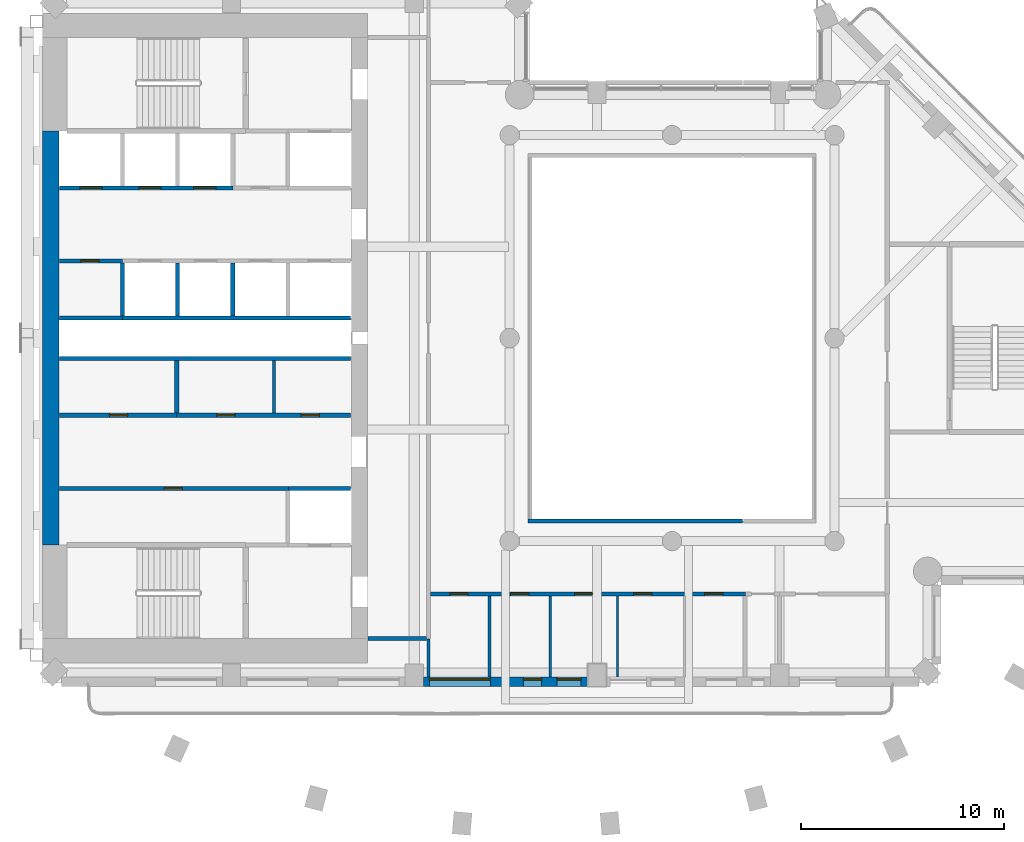
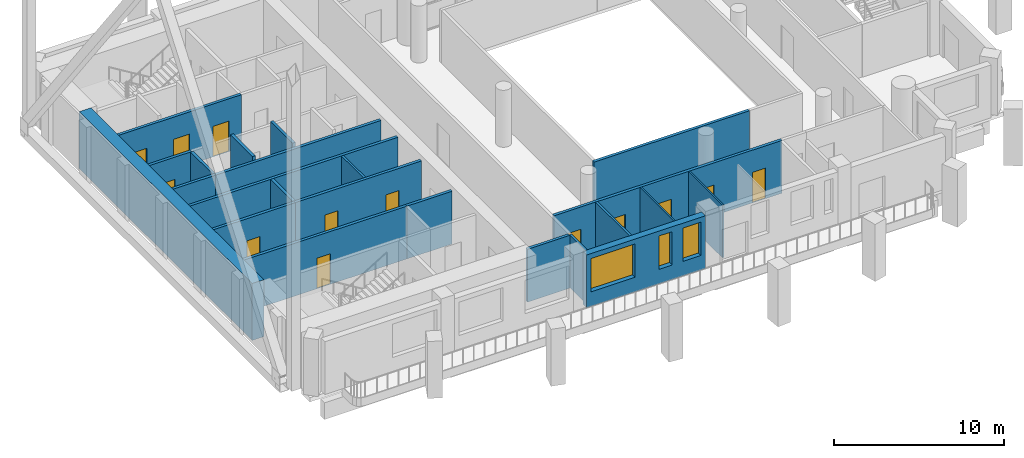
# One storey, part 4 of 16: 23 walls, 13 doors, 3 windows, 16 openings.
"""IFC4 building model written with IfcOpenShell, lengths in metres."""

from ifc_helpers import new_model, si_unit, direction, frame, frame_2d, origin, place, context, subcontext, project, spatial, rectangle, extrude, material, layer, layer_set, type_object, element, fill, save


model = new_model("IFC4")

# Units and contexts
model_context = context("Model", 3, precision=1e-05, world=origin(), true_north=direction((0.0, 1.0)))
body_context = subcontext(model_context, "Body", "Model", "MODEL_VIEW")
ifc_project = project(units=[si_unit("LENGTHUNIT", "METRE"), si_unit("AREAUNIT", "SQUARE_METRE"), si_unit("VOLUMEUNIT", "CUBIC_METRE"), si_unit("PLANEANGLEUNIT", "RADIAN"), si_unit("MASSUNIT", "GRAM", prefix="KILO")], contexts=[model_context])

# Site, building, storey
site_placement = place(None, origin())
site = spatial("IfcSite", under=ifc_project, at=site_placement, CompositionType="ELEMENT")
building_placement = place(site_placement, origin())
building = spatial("IfcBuilding", under=site, at=building_placement, Name="Cypress Arch Tower", CompositionType="ELEMENT")
storey_placement = place(building_placement, frame((0.0, 0.0, 197.39990234375)))
storey = spatial("IfcBuildingStorey", under=building, at=storey_placement, Name="L43", CompositionType="ELEMENT", Elevation=197.39990234375)

# Wall, openings, windows
ifc_material_1 = material(Name="Brick (red buff blend)", Category="masonry")
ifc_layer_1 = layer(ifc_material_1, 0.449951171875)
ifc_layer_set_1 = layer_set([ifc_layer_1], Name="Brick pier and spandrel wall BW450")
wall_type_1 = type_object("IfcWallType", Name="Brick pier and spandrel wall BW450", PredefinedType="SOLIDWALL", material=ifc_layer_set_1)
wall_1_placement = place(storey_placement, frame((-11.25, -16.925048828125, 0.0), z_axis=(0.0, 0.0, 1.0), x_axis=(1.0, 0.0, 0.0)))
wall_1 = element("IfcWall", 1, at=wall_1_placement, inside=storey, type_object=wall_type_1, Name="Brick wall L43 B01.2", PredefinedType="SOLIDWALL", context=body_context, shape_type="SweptSolid", body=[
    extrude(rectangle(XDim=8.10009765625, YDim=0.449951171875, at=frame_2d((4.050048828125, 0.0))), origin(), (0.0, 0.0, 1.0), 3.800048828125),
])
opening_1_placement = place(wall_1_placement, frame((0.300048828125, 0.0, 1.050048828125)))
opening_1 = element("IfcOpeningElement", 2, at=opening_1_placement, cuts=wall_1, Name="Opening W300OD", PredefinedType="OPENING", context=body_context, shape_type="SweptSolid", body=[
    extrude(rectangle(XDim=3.0, YDim=2.39990234375, at=frame_2d((1.5, 1.199951171875))), frame((0.0, 0.23486328125, 0.0), z_axis=(0.0, -1.0, 0.0), x_axis=(1.0, 0.0, 0.0)), (0.0, 0.0, 1.0), 0.469970703125),
])
opening_2_placement = place(wall_1_placement, frame((4.925048828125, 0.0, 1.050048828125)))
opening_2 = element("IfcOpeningElement", 3, at=opening_2_placement, cuts=wall_1, Name="Opening W090OD", PredefinedType="OPENING", context=body_context, shape_type="SweptSolid", body=[
    extrude(rectangle(XDim=0.89990234375, YDim=2.39990234375, at=frame_2d((0.449951171875, 1.199951171875))), frame((0.0, 0.23486328125, 0.0), z_axis=(0.0, -1.0, 0.0), x_axis=(1.0, 0.0, 0.0)), (0.0, 0.0, 1.0), 0.469970703125),
])
opening_3_placement = place(wall_1_placement, frame((6.574951171875, 0.0, 1.050048828125)))
opening_3 = element("IfcOpeningElement", 4, at=opening_3_placement, cuts=wall_1, Name="Opening W120OD", PredefinedType="OPENING", context=body_context, shape_type="SweptSolid", body=[
    extrude(rectangle(XDim=1.199951171875, YDim=2.39990234375, at=frame_2d((0.60009765625, 1.199951171875))), frame((0.0, 0.23486328125, 0.0), z_axis=(0.0, -1.0, 0.0), x_axis=(1.0, 0.0, 0.0)), (0.0, 0.0, 1.0), 0.469970703125),
])
ifc_material_2 = material(Name="Anodised aluminium, bronze finish, laminated low-emissivity double glazing, large-missile impact rated", Category="aluminium")
window_type_1 = type_object("IfcWindowType", Name="Window Office 1200x2400 debris-rated", PartitioningType="SINGLE_PANEL", PredefinedType="WINDOW", material=ifc_material_2)
window_1_placement = place(opening_3_placement, origin())
window_1 = element("IfcWindow", 5, at=window_1_placement, inside=storey, type_object=window_type_1, Name="Window L43 B01.2.2b", OverallHeight=2.39990234375, OverallWidth=1.199951171875, PartitioningType="SINGLE_PANEL", PredefinedType="WINDOW", context=body_context, shape_type="SweptSolid", body=[
    extrude(rectangle(XDim=1.199951171875, YDim=2.39990234375, at=frame_2d((0.60009765625, 1.199951171875))), frame((0.0, 0.135009765625, 0.0), z_axis=(0.0, -1.0, 0.0), x_axis=(1.0, 0.0, 0.0)), (0.0, 0.0, 1.0), 0.06005859375),
])
fill(opening_3, window_1)
ifc_material_3 = material(Name="Anodised aluminium, bronze finish, laminated low-emissivity double glazing, large-missile impact rated", Category="aluminium")
window_type_2 = type_object("IfcWindowType", Name="Window Office 3000x2400 debris-rated", PartitioningType="SINGLE_PANEL", PredefinedType="WINDOW", material=ifc_material_3)
window_2_placement = place(opening_1_placement, origin())
window_2 = element("IfcWindow", 6, at=window_2_placement, inside=storey, type_object=window_type_2, Name="Window L43 B01.2.1", OverallHeight=2.39990234375, OverallWidth=3.0, PartitioningType="SINGLE_PANEL", PredefinedType="WINDOW", context=body_context, shape_type="SweptSolid", body=[
    extrude(rectangle(XDim=3.0, YDim=2.39990234375, at=frame_2d((1.5, 1.199951171875))), frame((0.0, 0.135009765625, 0.0), z_axis=(0.0, -1.0, 0.0), x_axis=(1.0, 0.0, 0.0)), (0.0, 0.0, 1.0), 0.06005859375),
])
fill(opening_1, window_2)
ifc_material_4 = material(Name="Anodised aluminium, bronze finish, laminated low-emissivity double glazing, large-missile impact rated", Category="aluminium")
window_type_3 = type_object("IfcWindowType", Name="Window Office 900x2400 debris-rated", PartitioningType="SINGLE_PANEL", PredefinedType="WINDOW", material=ifc_material_4)
window_3_placement = place(opening_2_placement, origin())
window_3 = element("IfcWindow", 7, at=window_3_placement, inside=storey, type_object=window_type_3, Name="Window L43 B01.2.2", OverallHeight=2.39990234375, OverallWidth=0.89990234375, PartitioningType="SINGLE_PANEL", PredefinedType="WINDOW", context=body_context, shape_type="SweptSolid", body=[
    extrude(rectangle(XDim=0.89990234375, YDim=2.39990234375, at=frame_2d((0.449951171875, 1.199951171875))), frame((0.0, 0.135009765625, 0.0), z_axis=(0.0, -1.0, 0.0), x_axis=(1.0, 0.0, 0.0)), (0.0, 0.0, 1.0), 0.06005859375),
])
fill(opening_2, window_3)

# Wall
ifc_material_5 = material(Name="Concrete C70/85", Category="concrete")
ifc_layer_2 = layer(ifc_material_5, 0.800048828125)
ifc_layer_set_2 = layer_set([ifc_layer_2], Name="Core wall CW800 C70/85")
wall_type_2 = type_object("IfcWallType", Name="Core wall CW800 C70/85", PredefinedType="SHEAR", material=ifc_layer_set_2)
wall_2_placement = place(storey_placement, frame((-29.60009765625, -10.199951171875, 0.0), z_axis=(0.0, 0.0, 1.0), x_axis=(0.0, 1.0, 0.0)))
element("IfcWall", 8, at=wall_2_placement, inside=storey, type_object=wall_type_2, Name="Core wall", PredefinedType="SHEAR", context=body_context, shape_type="SweptSolid", body=[
    extrude(rectangle(XDim=20.39990234375, YDim=0.800048828125, at=frame_2d((10.199951171875, 0.0))), origin(), (0.0, 0.0, 1.0), 4.10009765625),
])

# Wall, opening, door
ifc_material_6 = material(Name="Concrete blockwork, plastered, rated", Category="masonry")
ifc_layer_3 = layer(ifc_material_6, 0.199951171875)
ifc_layer_set_3 = layer_set([ifc_layer_3], Name="Corridor wall FW200")
wall_type_3 = type_object("IfcWallType", Name="Corridor wall FW200", PredefinedType="PARTITIONING", material=ifc_layer_set_3)
wall_3_placement = place(storey_placement, frame((-29.169921875, 3.800048828125, 0.0), z_axis=(0.0, 0.0, 1.0), x_axis=(1.0, 0.0, 0.0)))
wall_3 = element("IfcWall", 9, at=wall_3_placement, inside=storey, type_object=wall_type_3, Name="Corridor wall", PredefinedType="PARTITIONING", context=body_context, shape_type="SweptSolid", body=[
    extrude(rectangle(XDim=3.08984375, YDim=0.199951171875, at=frame_2d((1.544921875, 0.0))), origin(), (0.0, 0.0, 1.0), 3.800048828125),
])
opening_4_placement = place(wall_3_placement, frame((1.050048828125, 0.0, 0.0)))
opening_4 = element("IfcOpeningElement", 10, at=opening_4_placement, cuts=wall_3, Name="Opening D05", PredefinedType="OPENING", context=body_context, shape_type="SweptSolid", body=[
    extrude(rectangle(XDim=0.89990234375, YDim=2.199951171875, at=frame_2d((0.449951171875, 1.10009765625))), frame((0.0, 0.10986328125, 0.0), z_axis=(0.0, -1.0, 0.0), x_axis=(1.0, 0.0, 0.0)), (0.0, 0.0, 1.0), 0.219970703125),
])
ifc_material_7 = material(Name="Timber flush door", Category="wood")
door_type_1 = type_object("IfcDoorType", Name="Service door D05 900x2200", OperationType="SINGLE_SWING_LEFT", PredefinedType="DOOR", material=ifc_material_7)
door_1_placement = place(opening_4_placement, origin())
door_1 = element("IfcDoor", 11, at=door_1_placement, inside=storey, type_object=door_type_1, Name="Service door", OperationType="SINGLE_SWING_LEFT", OverallHeight=2.199951171875, OverallWidth=0.89990234375, PredefinedType="DOOR", context=body_context, shape_type="SweptSolid", body=[
    extrude(rectangle(XDim=0.89990234375, YDim=2.199951171875, at=frame_2d((0.449951171875, 1.10009765625))), frame((0.0, 0.02490234375, 0.0), z_axis=(0.0, -1.0, 0.0), x_axis=(1.0, 0.0, 0.0)), (0.0, 0.0, 1.0), 0.050048828125),
])
fill(opening_4, door_1)

# Wall, openings, doors
wall_4_placement = place(storey_placement, frame((-23.419921875, -3.800048828125, 0.0), z_axis=(0.0, 0.0, 1.0), x_axis=(1.0, 0.0, 0.0)))
wall_4 = element("IfcWall", 12, at=wall_4_placement, inside=storey, type_object=wall_type_3, Name="Corridor wall", PredefinedType="PARTITIONING", context=body_context, shape_type="SweptSolid", body=[
    extrude(rectangle(XDim=8.58984375, YDim=0.199951171875, at=frame_2d((4.294921875, 0.0))), origin(), (0.0, 0.0, 1.0), 3.800048828125),
])
opening_5_placement = place(wall_4_placement, frame((2.0, 0.0, 0.0)))
opening_5 = element("IfcOpeningElement", 13, at=opening_5_placement, cuts=wall_4, Name="Opening D05", PredefinedType="OPENING", context=body_context, shape_type="SweptSolid", body=[
    extrude(rectangle(XDim=0.89990234375, YDim=2.199951171875, at=frame_2d((0.449951171875, 1.10009765625))), frame((0.0, 0.10986328125, 0.0), z_axis=(0.0, -1.0, 0.0), x_axis=(1.0, 0.0, 0.0)), (0.0, 0.0, 1.0), 0.219970703125),
])
opening_6_placement = place(wall_4_placement, frame((6.14990234375, 0.0, 0.0)))
opening_6 = element("IfcOpeningElement", 14, at=opening_6_placement, cuts=wall_4, Name="Opening D05", PredefinedType="OPENING", context=body_context, shape_type="SweptSolid", body=[
    extrude(rectangle(XDim=0.89990234375, YDim=2.199951171875, at=frame_2d((0.449951171875, 1.10009765625))), frame((0.0, 0.10986328125, 0.0), z_axis=(0.0, -1.0, 0.0), x_axis=(1.0, 0.0, 0.0)), (0.0, 0.0, 1.0), 0.219970703125),
])
door_2_placement = place(opening_5_placement, origin())
door_2 = element("IfcDoor", 15, at=door_2_placement, inside=storey, type_object=door_type_1, Name="Service door", OperationType="SINGLE_SWING_RIGHT", OverallHeight=2.199951171875, OverallWidth=0.89990234375, PredefinedType="DOOR", context=body_context, shape_type="SweptSolid", body=[
    extrude(rectangle(XDim=0.89990234375, YDim=2.199951171875, at=frame_2d((0.449951171875, 1.10009765625))), frame((0.0, 0.02490234375, 0.0), z_axis=(0.0, -1.0, 0.0), x_axis=(1.0, 0.0, 0.0)), (0.0, 0.0, 1.0), 0.050048828125),
])
fill(opening_5, door_2)
door_3_placement = place(opening_6_placement, origin())
door_3 = element("IfcDoor", 16, at=door_3_placement, inside=storey, type_object=door_type_1, Name="Service door", OperationType="SINGLE_SWING_LEFT", OverallHeight=2.199951171875, OverallWidth=0.89990234375, PredefinedType="DOOR", context=body_context, shape_type="SweptSolid", body=[
    extrude(rectangle(XDim=0.89990234375, YDim=2.199951171875, at=frame_2d((0.449951171875, 1.10009765625))), frame((0.0, 0.02490234375, 0.0), z_axis=(0.0, -1.0, 0.0), x_axis=(1.0, 0.0, 0.0)), (0.0, 0.0, 1.0), 0.050048828125),
])
fill(opening_6, door_3)

# Wall
wall_5_placement = place(storey_placement, frame((-13.969970703125, -14.800048828125, 0.0), z_axis=(0.0, 0.0, 1.0), x_axis=(1.0, 0.0, 0.0)))
element("IfcWall", 17, at=wall_5_placement, inside=storey, type_object=wall_type_3, Name="Corridor wall", PredefinedType="PARTITIONING", context=body_context, shape_type="SweptSolid", body=[
    extrude(rectangle(XDim=2.869873046875, YDim=0.199951171875, at=frame_2d((1.43505859375, 0.0))), origin(), (0.0, 0.0, 1.0), 3.800048828125),
])

# Wall, openings, doors
wall_6_placement = place(storey_placement, frame((-10.89990234375, -12.60009765625, 0.0), z_axis=(0.0, 0.0, 1.0), x_axis=(1.0, 0.0, 0.0)))
wall_6 = element("IfcWall", 18, at=wall_6_placement, inside=storey, type_object=wall_type_3, Name="Corridor wall", PredefinedType="PARTITIONING", context=body_context, shape_type="SweptSolid", body=[
    extrude(rectangle(XDim=15.52099609375, YDim=0.199951171875, at=frame_2d((7.760498046875, 0.0))), origin(), (0.0, 0.0, 1.0), 3.800048828125),
])
opening_7_placement = place(wall_6_placement, frame((0.949951171875, 0.0, 0.0)))
opening_7 = element("IfcOpeningElement", 19, at=opening_7_placement, cuts=wall_6, Name="Opening D05", PredefinedType="OPENING", context=body_context, shape_type="SweptSolid", body=[
    extrude(rectangle(XDim=0.89990234375, YDim=2.199951171875, at=frame_2d((0.449951171875, 1.10009765625))), frame((0.0, 0.10986328125, 0.0), z_axis=(0.0, -1.0, 0.0), x_axis=(1.0, 0.0, 0.0)), (0.0, 0.0, 1.0), 0.219970703125),
])
opening_8_placement = place(wall_6_placement, frame((3.949951171875, 0.0, 0.0)))
opening_8 = element("IfcOpeningElement", 20, at=opening_8_placement, cuts=wall_6, Name="Opening D05", PredefinedType="OPENING", context=body_context, shape_type="SweptSolid", body=[
    extrude(rectangle(XDim=0.89990234375, YDim=2.199951171875, at=frame_2d((0.449951171875, 1.10009765625))), frame((0.0, 0.10986328125, 0.0), z_axis=(0.0, -1.0, 0.0), x_axis=(1.0, 0.0, 0.0)), (0.0, 0.0, 1.0), 0.219970703125),
])
opening_9_placement = place(wall_6_placement, frame((7.10009765625, 0.0, 0.0)))
opening_9 = element("IfcOpeningElement", 21, at=opening_9_placement, cuts=wall_6, Name="Opening D03", PredefinedType="OPENING", context=body_context, shape_type="SweptSolid", body=[
    extrude(rectangle(XDim=0.89990234375, YDim=2.199951171875, at=frame_2d((0.449951171875, 1.10009765625))), frame((0.0, 0.10986328125, 0.0), z_axis=(0.0, -1.0, 0.0), x_axis=(1.0, 0.0, 0.0)), (0.0, 0.0, 1.0), 0.219970703125),
])
opening_10_placement = place(wall_6_placement, frame((10.0, 0.0, 0.0)))
opening_10 = element("IfcOpeningElement", 22, at=opening_10_placement, cuts=wall_6, Name="Opening D03", PredefinedType="OPENING", context=body_context, shape_type="SweptSolid", body=[
    extrude(rectangle(XDim=0.89990234375, YDim=2.199951171875, at=frame_2d((0.449951171875, 1.10009765625))), frame((0.0, 0.10986328125, 0.0), z_axis=(0.0, -1.0, 0.0), x_axis=(1.0, 0.0, 0.0)), (0.0, 0.0, 1.0), 0.219970703125),
])
opening_11_placement = place(wall_6_placement, frame((13.5, 0.0, 0.0)))
opening_11 = element("IfcOpeningElement", 23, at=opening_11_placement, cuts=wall_6, Name="Opening D03", PredefinedType="OPENING", context=body_context, shape_type="SweptSolid", body=[
    extrude(rectangle(XDim=0.89990234375, YDim=2.199951171875, at=frame_2d((0.449951171875, 1.10009765625))), frame((0.0, 0.10986328125, 0.0), z_axis=(0.0, -1.0, 0.0), x_axis=(1.0, 0.0, 0.0)), (0.0, 0.0, 1.0), 0.219970703125),
])
ifc_material_8 = material(Name="Timber flush door, moisture resistant", Category="wood")
door_type_2 = type_object("IfcDoorType", Name="Bathroom door D03 900x2200", OperationType="SINGLE_SWING_LEFT", PredefinedType="DOOR", material=ifc_material_8)
door_4_placement = place(opening_9_placement, origin())
door_4 = element("IfcDoor", 24, at=door_4_placement, inside=storey, type_object=door_type_2, Name="Bathroom door", OperationType="SINGLE_SWING_RIGHT", OverallHeight=2.199951171875, OverallWidth=0.89990234375, PredefinedType="DOOR", context=body_context, shape_type="SweptSolid", body=[
    extrude(rectangle(XDim=0.89990234375, YDim=2.199951171875, at=frame_2d((0.449951171875, 1.10009765625))), frame((0.0, 0.02490234375, 0.0), z_axis=(0.0, -1.0, 0.0), x_axis=(1.0, 0.0, 0.0)), (0.0, 0.0, 1.0), 0.050048828125),
])
fill(opening_9, door_4)
door_5_placement = place(opening_10_placement, origin())
door_5 = element("IfcDoor", 25, at=door_5_placement, inside=storey, type_object=door_type_2, Name="Bathroom door", OperationType="SINGLE_SWING_RIGHT", OverallHeight=2.199951171875, OverallWidth=0.89990234375, PredefinedType="DOOR", context=body_context, shape_type="SweptSolid", body=[
    extrude(rectangle(XDim=0.89990234375, YDim=2.199951171875, at=frame_2d((0.449951171875, 1.10009765625))), frame((0.0, 0.02490234375, 0.0), z_axis=(0.0, -1.0, 0.0), x_axis=(1.0, 0.0, 0.0)), (0.0, 0.0, 1.0), 0.050048828125),
])
fill(opening_10, door_5)
door_6_placement = place(opening_11_placement, origin())
door_6 = element("IfcDoor", 26, at=door_6_placement, inside=storey, type_object=door_type_2, Name="Bathroom door", OperationType="SINGLE_SWING_RIGHT", OverallHeight=2.199951171875, OverallWidth=0.89990234375, PredefinedType="DOOR", context=body_context, shape_type="SweptSolid", body=[
    extrude(rectangle(XDim=0.89990234375, YDim=2.199951171875, at=frame_2d((0.449951171875, 1.10009765625))), frame((0.0, 0.02490234375, 0.0), z_axis=(0.0, -1.0, 0.0), x_axis=(1.0, 0.0, 0.0)), (0.0, 0.0, 1.0), 0.050048828125),
])
fill(opening_11, door_6)
door_7_placement = place(opening_7_placement, origin())
door_7 = element("IfcDoor", 27, at=door_7_placement, inside=storey, type_object=door_type_1, Name="Service door", OperationType="SINGLE_SWING_RIGHT", OverallHeight=2.199951171875, OverallWidth=0.89990234375, PredefinedType="DOOR", context=body_context, shape_type="SweptSolid", body=[
    extrude(rectangle(XDim=0.89990234375, YDim=2.199951171875, at=frame_2d((0.449951171875, 1.10009765625))), frame((0.0, 0.02490234375, 0.0), z_axis=(0.0, -1.0, 0.0), x_axis=(1.0, 0.0, 0.0)), (0.0, 0.0, 1.0), 0.050048828125),
])
fill(opening_7, door_7)
door_8_placement = place(opening_8_placement, origin())
door_8 = element("IfcDoor", 28, at=door_8_placement, inside=storey, type_object=door_type_1, Name="Service door", OperationType="SINGLE_SWING_RIGHT", OverallHeight=2.199951171875, OverallWidth=0.89990234375, PredefinedType="DOOR", context=body_context, shape_type="SweptSolid", body=[
    extrude(rectangle(XDim=0.89990234375, YDim=2.199951171875, at=frame_2d((0.449951171875, 1.10009765625))), frame((0.0, 0.02490234375, 0.0), z_axis=(0.0, -1.0, 0.0), x_axis=(1.0, 0.0, 0.0)), (0.0, 0.0, 1.0), 0.050048828125),
])
fill(opening_8, door_8)

# Walls
wall_7_placement = place(storey_placement, frame((-6.10009765625, -9.0, 0.0), z_axis=(0.0, 0.0, 1.0), x_axis=(1.0, 0.0, 0.0)))
element("IfcWall", 29, at=wall_7_placement, inside=storey, type_object=wall_type_3, Name="Corridor wall", PredefinedType="PARTITIONING", context=body_context, shape_type="SweptSolid", body=[
    extrude(rectangle(XDim=10.580078125, YDim=0.199951171875, at=frame_2d((5.2900390625, 0.0))), origin(), (0.0, 0.0, 1.0), 3.800048828125),
])
ifc_material_9 = material(Name="Blockwork, plastered both sides", Category="masonry")
ifc_layer_4 = layer(ifc_material_9, 0.14990234375)
ifc_layer_set_4 = layer_set([ifc_layer_4], Name="Partition PW150")
wall_type_4 = type_object("IfcWallType", Name="Partition PW150", PredefinedType="PARTITIONING", material=ifc_layer_set_4)
wall_8_placement = place(storey_placement, frame((-18.60009765625, -3.699951171875, 0.0), z_axis=(0.0, 0.0, 1.0), x_axis=(0.0, 1.0, 0.0)))
element("IfcWall", 30, at=wall_8_placement, inside=storey, type_object=wall_type_4, Name="Partition", PredefinedType="PARTITIONING", context=body_context, shape_type="SweptSolid", body=[
    extrude(rectangle(XDim=2.599853515625, YDim=0.14990234375, at=frame_2d((1.2998046875, 0.0))), origin(), (0.0, 0.0, 1.0), 3.800048828125),
])
wall_9_placement = place(storey_placement, frame((-11.0, -16.699951171875, 0.0), z_axis=(0.0, 0.0, 1.0), x_axis=(0.0, 1.0, 0.0)))
element("IfcWall", 31, at=wall_9_placement, inside=storey, type_object=wall_type_4, Name="Partition", PredefinedType="PARTITIONING", context=body_context, shape_type="SweptSolid", body=[
    extrude(rectangle(XDim=1.8798828125, YDim=0.14990234375, at=frame_2d((0.93994140625, 0.0))), origin(), (0.0, 0.0, 1.0), 3.800048828125),
])
wall_10_placement = place(storey_placement, frame((-8.0, -16.699951171875, 0.0), z_axis=(0.0, 0.0, 1.0), x_axis=(0.0, 1.0, 0.0)))
element("IfcWall", 32, at=wall_10_placement, inside=storey, type_object=wall_type_4, Name="Partition", PredefinedType="PARTITIONING", context=body_context, shape_type="SweptSolid", body=[
    extrude(rectangle(XDim=4.0, YDim=0.14990234375, at=frame_2d((2.0, 0.0))), origin(), (0.0, 0.0, 1.0), 3.800048828125),
])

# Wall, opening, door
ifc_material_10 = material(Name="Reinforced blockwork, plastered, rated", Category="masonry")
ifc_layer_5 = layer(ifc_material_10, 0.199951171875)
ifc_layer_set_5 = layer_set([ifc_layer_5], Name="Plant and riser wall PL200")
wall_type_5 = type_object("IfcWallType", Name="Plant and riser wall PL200", PredefinedType="PARTITIONING", material=ifc_layer_set_5)
wall_11_placement = place(storey_placement, frame((-29.169921875, -7.39990234375, 0.0), z_axis=(0.0, 0.0, 1.0), x_axis=(1.0, 0.0, 0.0)))
wall_11 = element("IfcWall", 33, at=wall_11_placement, inside=storey, type_object=wall_type_5, Name="Plant and riser wall", PredefinedType="PARTITIONING", context=body_context, shape_type="SweptSolid", body=[
    extrude(rectangle(XDim=11.27001953125, YDim=0.199951171875, at=frame_2d((5.635009765625, 0.0))), origin(), (0.0, 0.0, 1.0), 3.800048828125),
])
opening_12_placement = place(wall_11_placement, frame((5.14990234375, 0.0, 0.0)))
opening_12 = element("IfcOpeningElement", 34, at=opening_12_placement, cuts=wall_11, Name="Opening D05", PredefinedType="OPENING", context=body_context, shape_type="SweptSolid", body=[
    extrude(rectangle(XDim=0.89990234375, YDim=2.199951171875, at=frame_2d((0.449951171875, 1.10009765625))), frame((0.0, 0.10986328125, 0.0), z_axis=(0.0, -1.0, 0.0), x_axis=(1.0, 0.0, 0.0)), (0.0, 0.0, 1.0), 0.219970703125),
])
door_9_placement = place(opening_12_placement, origin())
door_9 = element("IfcDoor", 35, at=door_9_placement, inside=storey, type_object=door_type_1, Name="Service door", OperationType="SINGLE_SWING_RIGHT", OverallHeight=2.199951171875, OverallWidth=0.89990234375, PredefinedType="DOOR", context=body_context, shape_type="SweptSolid", body=[
    extrude(rectangle(XDim=0.89990234375, YDim=2.199951171875, at=frame_2d((0.449951171875, 1.10009765625))), frame((0.0, 0.02490234375, 0.0), z_axis=(0.0, -1.0, 0.0), x_axis=(1.0, 0.0, 0.0)), (0.0, 0.0, 1.0), 0.050048828125),
])
fill(opening_12, door_9)

wall_12_placement = place(storey_placement, frame((-29.169921875, -3.800048828125, 0.0), z_axis=(0.0, 0.0, 1.0), x_axis=(1.0, 0.0, 0.0)))
wall_12 = element("IfcWall", 36, at=wall_12_placement, inside=storey, type_object=wall_type_5, Name="Plant and riser wall", PredefinedType="PARTITIONING", context=body_context, shape_type="SweptSolid", body=[
    extrude(rectangle(XDim=5.75, YDim=0.199951171875, at=frame_2d((2.875, 0.0))), origin(), (0.0, 0.0, 1.0), 3.800048828125),
])
opening_13_placement = place(wall_12_placement, frame((2.449951171875, 0.0, 0.0)))
opening_13 = element("IfcOpeningElement", 37, at=opening_13_placement, cuts=wall_12, Name="Opening D05", PredefinedType="OPENING", context=body_context, shape_type="SweptSolid", body=[
    extrude(rectangle(XDim=0.89990234375, YDim=2.199951171875, at=frame_2d((0.449951171875, 1.10009765625))), frame((0.0, 0.10986328125, 0.0), z_axis=(0.0, -1.0, 0.0), x_axis=(1.0, 0.0, 0.0)), (0.0, 0.0, 1.0), 0.219970703125),
])
door_10_placement = place(opening_13_placement, origin())
door_10 = element("IfcDoor", 38, at=door_10_placement, inside=storey, type_object=door_type_1, Name="Service door", OperationType="SINGLE_SWING_RIGHT", OverallHeight=2.199951171875, OverallWidth=0.89990234375, PredefinedType="DOOR", context=body_context, shape_type="SweptSolid", body=[
    extrude(rectangle(XDim=0.89990234375, YDim=2.199951171875, at=frame_2d((0.449951171875, 1.10009765625))), frame((0.0, 0.02490234375, 0.0), z_axis=(0.0, -1.0, 0.0), x_axis=(1.0, 0.0, 0.0)), (0.0, 0.0, 1.0), 0.050048828125),
])
fill(opening_13, door_10)

# Walls
wall_13_placement = place(storey_placement, frame((-29.169921875, -1.0, 0.0), z_axis=(0.0, 0.0, 1.0), x_axis=(1.0, 0.0, 0.0)))
element("IfcWall", 39, at=wall_13_placement, inside=storey, type_object=wall_type_5, Name="Plant and riser wall", PredefinedType="PARTITIONING", context=body_context, shape_type="SweptSolid", body=[
    extrude(rectangle(XDim=14.33984375, YDim=0.199951171875, at=frame_2d((7.169921875, 0.0))), origin(), (0.0, 0.0, 1.0), 3.800048828125),
])
wall_14_placement = place(storey_placement, frame((-29.169921875, 1.0, 0.0), z_axis=(0.0, 0.0, 1.0), x_axis=(1.0, 0.0, 0.0)))
element("IfcWall", 40, at=wall_14_placement, inside=storey, type_object=wall_type_5, Name="Plant and riser wall", PredefinedType="PARTITIONING", context=body_context, shape_type="SweptSolid", body=[
    extrude(rectangle(XDim=3.08984375, YDim=0.199951171875, at=frame_2d((1.544921875, 0.0))), origin(), (0.0, 0.0, 1.0), 3.800048828125),
])
wall_15_placement = place(storey_placement, frame((-23.39990234375, -3.699951171875, 0.0), z_axis=(0.0, 0.0, 1.0), x_axis=(0.0, 1.0, 0.0)))
element("IfcWall", 41, at=wall_15_placement, inside=storey, type_object=wall_type_5, Name="Plant and riser wall", PredefinedType="PARTITIONING", context=body_context, shape_type="SweptSolid", body=[
    extrude(rectangle(XDim=2.599853515625, YDim=0.199951171875, at=frame_2d((1.2998046875, 0.0))), origin(), (0.0, 0.0, 1.0), 3.800048828125),
])

# Wall, openings, doors
ifc_material_11 = material(Name="Concrete C50/60", Category="concrete")
ifc_layer_6 = layer(ifc_material_11, 0.199951171875)
ifc_layer_set_6 = layer_set([ifc_layer_6], Name="Shaft wall SH200")
wall_type_6 = type_object("IfcWallType", Name="Shaft wall SH200", PredefinedType="SHEAR", material=ifc_layer_set_6)
wall_16_placement = place(storey_placement, frame((-29.169921875, 7.39990234375, 0.0), z_axis=(0.0, 0.0, 1.0), x_axis=(1.0, 0.0, 0.0)))
wall_16 = element("IfcWall", 42, at=wall_16_placement, inside=storey, type_object=wall_type_6, Name="Shaft wall", PredefinedType="SHEAR", context=body_context, shape_type="SweptSolid", body=[
    extrude(rectangle(XDim=8.530029296875, YDim=0.199951171875, at=frame_2d((4.26513671875, 0.0))), origin(), (0.0, 0.0, 1.0), 3.800048828125),
])
opening_14_placement = place(wall_16_placement, frame((1.0, 0.0, 0.0)))
opening_14 = element("IfcOpeningElement", 43, at=opening_14_placement, cuts=wall_16, Name="Opening LD-HR5", PredefinedType="OPENING", context=body_context, shape_type="SweptSolid", body=[
    extrude(rectangle(XDim=1.10009765625, YDim=2.199951171875, at=frame_2d((0.550048828125, 1.10009765625))), frame((0.0, 0.10986328125, 0.0), z_axis=(0.0, -1.0, 0.0), x_axis=(1.0, 0.0, 0.0)), (0.0, 0.0, 1.0), 0.219970703125),
])
opening_15_placement = place(wall_16_placement, frame((3.89990234375, 0.0, 0.0)))
opening_15 = element("IfcOpeningElement", 44, at=opening_15_placement, cuts=wall_16, Name="Opening LD-HR6", PredefinedType="OPENING", context=body_context, shape_type="SweptSolid", body=[
    extrude(rectangle(XDim=1.10009765625, YDim=2.199951171875, at=frame_2d((0.550048828125, 1.10009765625))), frame((0.0, 0.10986328125, 0.0), z_axis=(0.0, -1.0, 0.0), x_axis=(1.0, 0.0, 0.0)), (0.0, 0.0, 1.0), 0.219970703125),
])
opening_16_placement = place(wall_16_placement, frame((6.60009765625, 0.0, 0.0)))
opening_16 = element("IfcOpeningElement", 45, at=opening_16_placement, cuts=wall_16, Name="Opening LD-HR7", PredefinedType="OPENING", context=body_context, shape_type="SweptSolid", body=[
    extrude(rectangle(XDim=1.10009765625, YDim=2.199951171875, at=frame_2d((0.550048828125, 1.10009765625))), frame((0.0, 0.10986328125, 0.0), z_axis=(0.0, -1.0, 0.0), x_axis=(1.0, 0.0, 0.0)), (0.0, 0.0, 1.0), 0.219970703125),
])
ifc_material_12 = material(Name="Stainless steel centre-opening landing door, rated", Category="steel")
door_type_3 = type_object("IfcDoorType", Name="Lift landing door LD 1100x2200", OperationType="DOUBLE_DOOR_SLIDING", PredefinedType="DOOR", material=ifc_material_12)
door_11_placement = place(opening_14_placement, origin())
door_11 = element("IfcDoor", 46, at=door_11_placement, inside=storey, type_object=door_type_3, Name="Lift landing doors HR5", OperationType="DOUBLE_DOOR_SLIDING", OverallHeight=2.199951171875, OverallWidth=1.10009765625, PredefinedType="DOOR", context=body_context, shape_type="SweptSolid", body=[
    extrude(rectangle(XDim=1.10009765625, YDim=2.199951171875, at=frame_2d((0.550048828125, 1.10009765625))), frame((0.0, 0.02490234375, 0.0), z_axis=(0.0, -1.0, 0.0), x_axis=(1.0, 0.0, 0.0)), (0.0, 0.0, 1.0), 0.050048828125),
])
fill(opening_14, door_11)
door_12_placement = place(opening_15_placement, origin())
door_12 = element("IfcDoor", 47, at=door_12_placement, inside=storey, type_object=door_type_3, Name="Lift landing doors HR6", OperationType="DOUBLE_DOOR_SLIDING", OverallHeight=2.199951171875, OverallWidth=1.10009765625, PredefinedType="DOOR", context=body_context, shape_type="SweptSolid", body=[
    extrude(rectangle(XDim=1.10009765625, YDim=2.199951171875, at=frame_2d((0.550048828125, 1.10009765625))), frame((0.0, 0.02490234375, 0.0), z_axis=(0.0, -1.0, 0.0), x_axis=(1.0, 0.0, 0.0)), (0.0, 0.0, 1.0), 0.050048828125),
])
fill(opening_15, door_12)
door_13_placement = place(opening_16_placement, origin())
door_13 = element("IfcDoor", 48, at=door_13_placement, inside=storey, type_object=door_type_3, Name="Lift landing doors HR7", OperationType="DOUBLE_DOOR_SLIDING", OverallHeight=2.199951171875, OverallWidth=1.10009765625, PredefinedType="DOOR", context=body_context, shape_type="SweptSolid", body=[
    extrude(rectangle(XDim=1.10009765625, YDim=2.199951171875, at=frame_2d((0.550048828125, 1.10009765625))), frame((0.0, 0.02490234375, 0.0), z_axis=(0.0, -1.0, 0.0), x_axis=(1.0, 0.0, 0.0)), (0.0, 0.0, 1.0), 0.050048828125),
])
fill(opening_16, door_13)

# Walls
wall_17_placement = place(storey_placement, frame((-26.080078125, 1.10009765625, 0.0), z_axis=(0.0, 0.0, 1.0), x_axis=(0.0, 1.0, 0.0)))
element("IfcWall", 49, at=wall_17_placement, inside=storey, type_object=wall_type_6, Name="Shaft wall", PredefinedType="SHEAR", context=body_context, shape_type="SweptSolid", body=[
    extrude(rectangle(XDim=2.599853515625, YDim=0.199951171875, at=frame_2d((1.2998046875, 0.0))), origin(), (0.0, 0.0, 1.0), 3.800048828125),
])
wall_18_placement = place(storey_placement, frame((-26.080078125, 1.0, 0.0), z_axis=(0.0, 0.0, 1.0), x_axis=(1.0, 0.0, 0.0)))
element("IfcWall", 50, at=wall_18_placement, inside=storey, type_object=wall_type_6, Name="Shaft wall", PredefinedType="SHEAR", context=body_context, shape_type="SweptSolid", body=[
    extrude(rectangle(XDim=11.25, YDim=0.199951171875, at=frame_2d((5.625, 0.0))), origin(), (0.0, 0.0, 1.0), 3.800048828125),
])
for number, where, z_axis, x_axis, name in (
    (51, (-23.360107421875, 1.10009765625, 0.0), (0.0, 0.0, 1.0), (0.0, 1.0, 0.0), "Shaft wall"),
    (52, (-20.639892578125, 1.10009765625, 0.0), (0.0, 0.0, 1.0), (0.0, 1.0, 0.0), "Shaft wall"),
):
    element("IfcWall", number, at=place(storey_placement, frame(where, z_axis=z_axis, x_axis=x_axis)), inside=storey, type_object=wall_type_6, Name=name, PredefinedType="SHEAR", context=body_context, shape_type="SweptSolid", body=[
        extrude(rectangle(XDim=2.599853515625, YDim=0.199951171875, at=frame_2d((1.2998046875, 0.0))), origin(), (0.0, 0.0, 1.0), 4.10009765625),
    ])
wall_19_placement = place(storey_placement, frame((-17.89990234375, -7.39990234375, 0.0), z_axis=(0.0, 0.0, 1.0), x_axis=(1.0, 0.0, 0.0)))
element("IfcWall", 53, at=wall_19_placement, inside=storey, type_object=wall_type_6, Name="Shaft wall", PredefinedType="SHEAR", context=body_context, shape_type="SweptSolid", body=[
    extrude(rectangle(XDim=3.06982421875, YDim=0.199951171875, at=frame_2d((1.534912109375, 0.0))), origin(), (0.0, 0.0, 1.0), 3.800048828125),
])
ifc_material_13 = material(Name="Moisture resistant board on steel studs, tiled", Category="steel")
ifc_layer_7 = layer(ifc_material_13, 0.10009765625)
ifc_layer_set_7 = layer_set([ifc_layer_7], Name="Wet wall PW100")
wall_type_7 = type_object("IfcWallType", Name="Wet wall PW100", PredefinedType="PARTITIONING", material=ifc_layer_set_7)
for number, where, z_axis, x_axis, name in (
    (54, (-5.0, -16.699951171875, 0.0), (0.0, 0.0, 1.0), (0.0, 1.0, 0.0), "Wet wall"),
    (55, (-1.698974609375, -16.699951171875, 0.0), (0.0, 0.0, 1.0), (0.0, 1.0, 0.0), "Wet wall"),
):
    element("IfcWall", number, at=place(storey_placement, frame(where, z_axis=z_axis, x_axis=x_axis)), inside=storey, type_object=wall_type_7, Name=name, PredefinedType="PARTITIONING", context=body_context, shape_type="SweptSolid", body=[
        extrude(rectangle(XDim=4.0, YDim=0.10009765625, at=frame_2d((2.0, 0.0))), origin(), (0.0, 0.0, 1.0), 3.800048828125),
    ])

save(model, "model.ifc")
